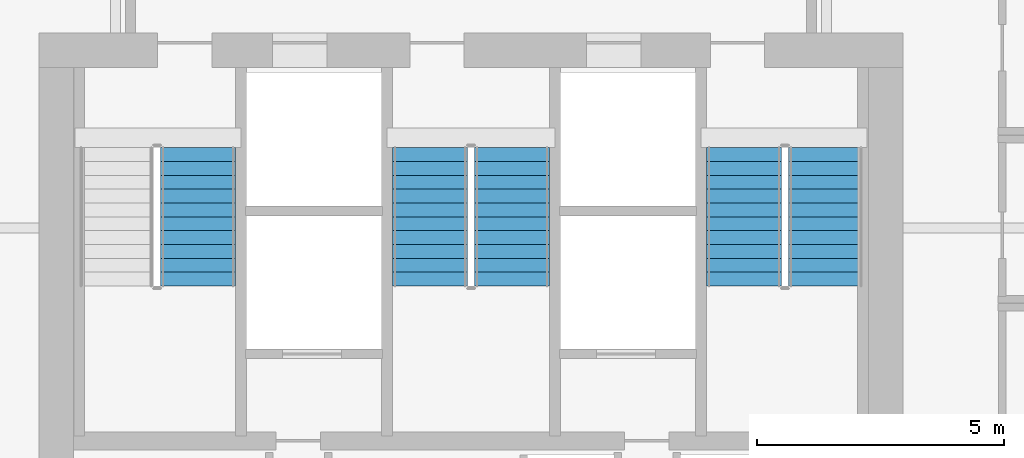
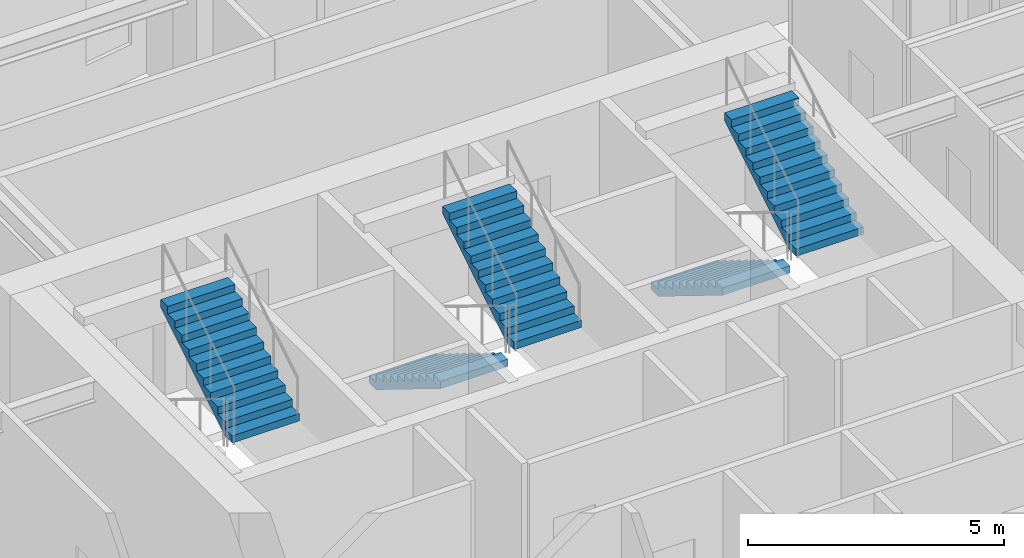
# One storey, part 10 of 14: 5 stair flights, 3 elements without a shape of their own.
"""IFC4 building model written with IfcOpenShell, lengths in metres."""

from ifc_helpers import new_model, si_unit, direction, frame, origin, place, context, subcontext, project, spatial, polyline, outline, extrude, material, type_object, element, aggregate, save


model = new_model("IFC4")

# Units and contexts
model_context = context("Model", 3, precision=1e-05, world=origin(), true_north=direction((0.0, 1.0)))
body_context = subcontext(model_context, "Body", "Model", "MODEL_VIEW")
ifc_project = project(units=[si_unit("LENGTHUNIT", "METRE"), si_unit("AREAUNIT", "SQUARE_METRE"), si_unit("VOLUMEUNIT", "CUBIC_METRE"), si_unit("PLANEANGLEUNIT", "RADIAN"), si_unit("MASSUNIT", "GRAM", prefix="KILO")], contexts=[model_context])

# Site, building, storey
site_placement = place(None, origin())
site = spatial("IfcSite", under=ifc_project, at=site_placement, CompositionType="ELEMENT")
building_placement = place(site_placement, origin())
building = spatial("IfcBuilding", under=site, at=building_placement, Name="Haolan Belvedere Tower", CompositionType="ELEMENT")
storey_placement = place(building_placement, frame((0.0, 0.0, 113.60009765625)))
storey = spatial("IfcBuildingStorey", under=building, at=storey_placement, Name="L28", CompositionType="ELEMENT", Elevation=113.60009765625)

# Stair, stair flight
ifc_material = material(Name="Concrete C40/50", Category="concrete")
stair_type = type_object("IfcStairType", Name="STR-DL-22R-173", PredefinedType="HALF_TURN_STAIR", material=ifc_material)
stair_1_placement = place(storey_placement, origin())
stair_1 = element("IfcStair", 1, at=stair_1_placement, inside=storey, type_object=stair_type, Name="L28 Smokeproof Core Exit Stair ST1", PredefinedType="HALF_TURN_STAIR")
stair_flight_type = type_object("IfcStairFlightType", Name="SFL-DL-11R-173", PredefinedType="STRAIGHT", material=ifc_material)
stair_flight_1_placement = place(storey_placement, frame((32.8701171875, 38.429931640625, 1.89990234375), z_axis=(0.0, 0.0, 1.0), x_axis=(0.0, 1.0, 0.0)))
stair_flight_1 = element("IfcStairFlight", 2, at=stair_flight_1_placement, type_object=stair_flight_type, Name="ST1 flight 2", NumberOfRisers=11, NumberOfTreads=10, PredefinedType="STRAIGHT", RiserHeight=0.172727273, TreadLength=0.28, context=body_context, shape_type="SweptSolid", body=[
    extrude(outline(polyline([(0.0, 0.0), (0.0, 0.172607421875), (0.280029296875, 0.172607421875), (0.280029296875, 0.345458984375), (0.56005859375, 0.345458984375), (0.56005859375, 0.51806640625), (0.840087890625, 0.51806640625), (0.840087890625, 0.69091796875), (1.1201171875, 0.69091796875), (1.1201171875, 0.863525390625), (1.39990234375, 0.863525390625), (1.39990234375, 1.036376953125), (1.679931640625, 1.036376953125), (1.679931640625, 1.208984375), (1.9599609375, 1.208984375), (1.9599609375, 1.3818359375), (2.239990234375, 1.3818359375), (2.239990234375, 1.554443359375), (2.52001953125, 1.554443359375), (2.52001953125, 1.727294921875), (2.800048828125, 1.727294921875), (2.800048828125, 1.89990234375), (2.800048828125, 1.551025390625), (0.285400390625, 0.0), (0.0, 0.0)])), frame((0.0, 0.760009765625, 0.0), z_axis=(0.0, -1.0, 0.0), x_axis=(1.0, 0.0, 0.0)), (0.0, 0.0, 1.0), 1.52001953125),
])
aggregate(stair_1, [stair_flight_1])

# Stair, stair flights
stair_2_placement = place(storey_placement, origin())
stair_2 = element("IfcStair", 3, at=stair_2_placement, inside=storey, type_object=stair_type, Name="L28 Smokeproof Core Exit Stair ST3", PredefinedType="HALF_TURN_STAIR")
stair_flight_2_placement = place(storey_placement, frame((37.570068359375, 41.22998046875, 0.0), z_axis=(0.0, 0.0, 1.0), x_axis=(0.0, -1.0, 0.0)))
stair_flight_2 = element("IfcStairFlight", 4, at=stair_flight_2_placement, type_object=stair_flight_type, Name="ST3 flight 1", NumberOfRisers=11, NumberOfTreads=10, PredefinedType="STRAIGHT", RiserHeight=0.172727273, TreadLength=0.28, context=body_context, shape_type="SweptSolid", body=[
    extrude(outline(polyline([(0.0, 0.0), (0.0, 0.172607421875), (0.280029296875, 0.172607421875), (0.280029296875, 0.345458984375), (0.56005859375, 0.345458984375), (0.56005859375, 0.51806640625), (0.840087890625, 0.51806640625), (0.840087890625, 0.69091796875), (1.1201171875, 0.69091796875), (1.1201171875, 0.863525390625), (1.39990234375, 0.863525390625), (1.39990234375, 1.036376953125), (1.679931640625, 1.036376953125), (1.679931640625, 1.208984375), (1.9599609375, 1.208984375), (1.9599609375, 1.3818359375), (2.239990234375, 1.3818359375), (2.239990234375, 1.554443359375), (2.52001953125, 1.554443359375), (2.52001953125, 1.727294921875), (2.800048828125, 1.727294921875), (2.800048828125, 1.89990234375), (2.800048828125, 1.551025390625), (0.285400390625, 0.0), (0.0, 0.0)])), frame((0.0, 0.760009765625, 0.0), z_axis=(0.0, -1.0, 0.0), x_axis=(1.0, 0.0, 0.0)), (0.0, 0.0, 1.0), 1.52001953125),
])
stair_flight_3_placement = place(storey_placement, frame((39.22998046875, 38.429931640625, 1.89990234375), z_axis=(0.0, 0.0, 1.0), x_axis=(0.0, 1.0, 0.0)))
stair_flight_3 = element("IfcStairFlight", 5, at=stair_flight_3_placement, type_object=stair_flight_type, Name="ST3 flight 2", NumberOfRisers=11, NumberOfTreads=10, PredefinedType="STRAIGHT", RiserHeight=0.172727273, TreadLength=0.28, context=body_context, shape_type="SweptSolid", body=[
    extrude(outline(polyline([(0.0, 0.0), (0.0, 0.172607421875), (0.280029296875, 0.172607421875), (0.280029296875, 0.345458984375), (0.56005859375, 0.345458984375), (0.56005859375, 0.51806640625), (0.840087890625, 0.51806640625), (0.840087890625, 0.69091796875), (1.1201171875, 0.69091796875), (1.1201171875, 0.863525390625), (1.39990234375, 0.863525390625), (1.39990234375, 1.036376953125), (1.679931640625, 1.036376953125), (1.679931640625, 1.208984375), (1.9599609375, 1.208984375), (1.9599609375, 1.3818359375), (2.239990234375, 1.3818359375), (2.239990234375, 1.554443359375), (2.52001953125, 1.554443359375), (2.52001953125, 1.727294921875), (2.800048828125, 1.727294921875), (2.800048828125, 1.89990234375), (2.800048828125, 1.551025390625), (0.285400390625, 0.0), (0.0, 0.0)])), frame((0.0, 0.760009765625, 0.0), z_axis=(0.0, -1.0, 0.0), x_axis=(1.0, 0.0, 0.0)), (0.0, 0.0, 1.0), 1.52001953125),
])
aggregate(stair_2, [stair_flight_2, stair_flight_3])

stair_3_placement = place(storey_placement, origin())
stair_3 = element("IfcStair", 6, at=stair_3_placement, inside=storey, type_object=stair_type, Name="L28 Smokeproof Core Exit Stair ST2", PredefinedType="HALF_TURN_STAIR")
stair_flight_4_placement = place(storey_placement, frame((43.929931640625, 41.22998046875, 0.0), z_axis=(0.0, 0.0, 1.0), x_axis=(0.0, -1.0, 0.0)))
stair_flight_4 = element("IfcStairFlight", 7, at=stair_flight_4_placement, type_object=stair_flight_type, Name="ST2 flight 1", NumberOfRisers=11, NumberOfTreads=10, PredefinedType="STRAIGHT", RiserHeight=0.172727273, TreadLength=0.28, context=body_context, shape_type="SweptSolid", body=[
    extrude(outline(polyline([(0.0, 0.0), (0.0, 0.172607421875), (0.280029296875, 0.172607421875), (0.280029296875, 0.345458984375), (0.56005859375, 0.345458984375), (0.56005859375, 0.51806640625), (0.840087890625, 0.51806640625), (0.840087890625, 0.69091796875), (1.1201171875, 0.69091796875), (1.1201171875, 0.863525390625), (1.39990234375, 0.863525390625), (1.39990234375, 1.036376953125), (1.679931640625, 1.036376953125), (1.679931640625, 1.208984375), (1.9599609375, 1.208984375), (1.9599609375, 1.3818359375), (2.239990234375, 1.3818359375), (2.239990234375, 1.554443359375), (2.52001953125, 1.554443359375), (2.52001953125, 1.727294921875), (2.800048828125, 1.727294921875), (2.800048828125, 1.89990234375), (2.800048828125, 1.551025390625), (0.285400390625, 0.0), (0.0, 0.0)])), frame((0.0, 0.760009765625, 0.0), z_axis=(0.0, -1.0, 0.0), x_axis=(1.0, 0.0, 0.0)), (0.0, 0.0, 1.0), 1.52001953125),
])
stair_flight_5_placement = place(storey_placement, frame((45.590087890625, 38.429931640625, 1.89990234375), z_axis=(0.0, 0.0, 1.0), x_axis=(0.0, 1.0, 0.0)))
stair_flight_5 = element("IfcStairFlight", 8, at=stair_flight_5_placement, type_object=stair_flight_type, Name="ST2 flight 2", NumberOfRisers=11, NumberOfTreads=10, PredefinedType="STRAIGHT", RiserHeight=0.172727273, TreadLength=0.28, context=body_context, shape_type="SweptSolid", body=[
    extrude(outline(polyline([(0.0, 0.0), (0.0, 0.172607421875), (0.280029296875, 0.172607421875), (0.280029296875, 0.345458984375), (0.56005859375, 0.345458984375), (0.56005859375, 0.51806640625), (0.840087890625, 0.51806640625), (0.840087890625, 0.69091796875), (1.1201171875, 0.69091796875), (1.1201171875, 0.863525390625), (1.39990234375, 0.863525390625), (1.39990234375, 1.036376953125), (1.679931640625, 1.036376953125), (1.679931640625, 1.208984375), (1.9599609375, 1.208984375), (1.9599609375, 1.3818359375), (2.239990234375, 1.3818359375), (2.239990234375, 1.554443359375), (2.52001953125, 1.554443359375), (2.52001953125, 1.727294921875), (2.800048828125, 1.727294921875), (2.800048828125, 1.89990234375), (2.800048828125, 1.551025390625), (0.285400390625, 0.0), (0.0, 0.0)])), frame((0.0, 0.760009765625, 0.0), z_axis=(0.0, -1.0, 0.0), x_axis=(1.0, 0.0, 0.0)), (0.0, 0.0, 1.0), 1.52001953125),
])
aggregate(stair_3, [stair_flight_4, stair_flight_5])

save(model, "model.ifc")
